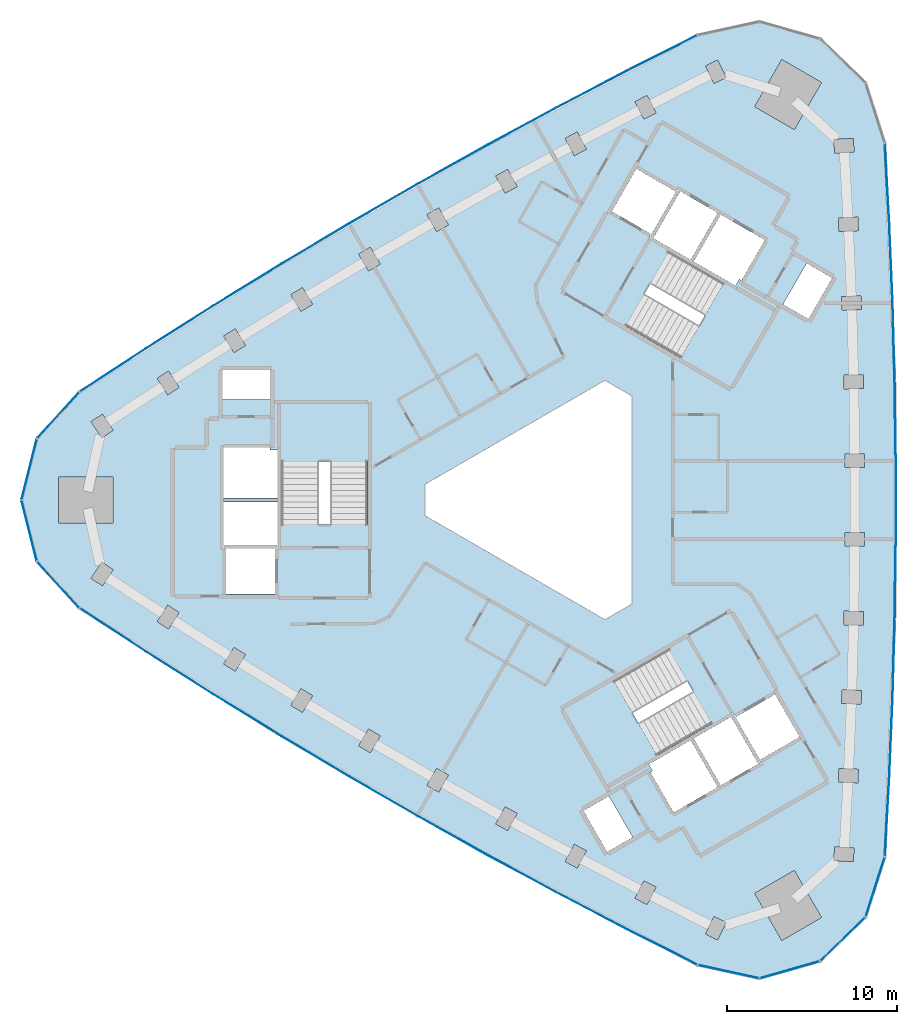
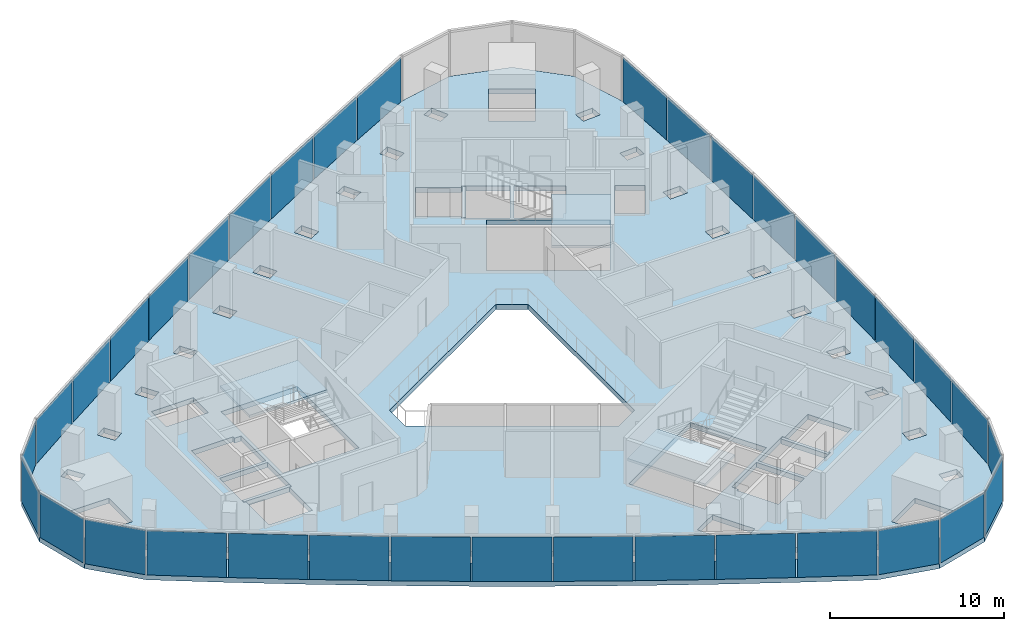
# One storey, part 6 of 11: 35 plates, 4 slabs, 6 elements without a shape of their own.
"""IFC4 building model written with IfcOpenShell, lengths in metres."""

from ifc_helpers import new_model, si_unit, direction, frame, origin, origin_2d, place, context, subcontext, project, spatial, polyline, rectangle, outline, extrude, material, layer, layer_set, type_object, element, aggregate, save


model = new_model("IFC4")

# Units and contexts
model_context = context("Model", 3, precision=1e-05, world=origin(), true_north=direction((0.0, 1.0)))
body_context = subcontext(model_context, "Body", "Model", "MODEL_VIEW")
ifc_project = project(units=[si_unit("LENGTHUNIT", "METRE"), si_unit("AREAUNIT", "SQUARE_METRE"), si_unit("VOLUMEUNIT", "CUBIC_METRE"), si_unit("PLANEANGLEUNIT", "RADIAN"), si_unit("MASSUNIT", "GRAM", prefix="KILO")], contexts=[model_context])

# Site, building, storey
site_placement = place(None, origin())
site = spatial("IfcSite", under=ifc_project, at=site_placement, CompositionType="ELEMENT")
building_placement = place(site_placement, origin())
building = spatial("IfcBuilding", under=site, at=building_placement, Name="Tamra Quay Hotel Tower", CompositionType="ELEMENT")
storey_placement = place(building_placement, frame((0.0, 0.0, 190.0)))
storey = spatial("IfcBuildingStorey", under=building, at=storey_placement, Name="L47", CompositionType="ELEMENT", Elevation=190.0)

# Stair, slab
ifc_material_1 = material(Name="Exit stair 2200 24 risers 150.0 going 342")
stair_type = type_object("IfcStairType", Name="Exit stair 2200 24 risers 150.0 going 342", PredefinedType="HALF_TURN_STAIR", material=ifc_material_1)
stair_1_placement = place(storey_placement, origin())
stair_1 = element("IfcStair", 1, at=stair_1_placement, inside=storey, type_object=stair_type, Name="L47 Exit stair ST3", PredefinedType="HALF_TURN_STAIR")
ifc_material_2 = material(Name="Concrete M70", Category="concrete")
ifc_layer_1 = layer(ifc_material_2, 0.175048828125)
ifc_layer_set_1 = layer_set([ifc_layer_1], Name="Concrete M70 stair landing 180")
slab_type_1 = type_object("IfcSlabType", Name="Concrete M70 stair landing 180", PredefinedType="LANDING", material=ifc_layer_set_1)
slab_1_placement = place(storey_placement, frame((0.0, 0.0, 1.625)))
slab_1 = element("IfcSlab", 2, at=slab_1_placement, type_object=slab_type_1, Name="ST3 landing 1", PredefinedType="LANDING", context=body_context, shape_type="SweptSolid", body=[
    extrude(outline(polyline([(-10.932373046875, 2.261962890625), (-10.932373046875, 5.679931640625), (-16.09130859375, 5.679931640625), (-16.09130859375, 2.261962890625), (-10.932373046875, 2.261962890625)])), origin(), (0.0, 0.0, 1.0), 0.175048828125),
])
aggregate(stair_1, [slab_1])

stair_2_placement = place(storey_placement, origin())
stair_2 = element("IfcStair", 3, at=stair_2_placement, inside=storey, type_object=stair_type, Name="L47 Exit stair ST1", PredefinedType="HALF_TURN_STAIR")
slab_2_placement = place(storey_placement, frame((0.0, 0.0, 1.625)))
slab_2 = element("IfcSlab", 4, at=slab_2_placement, type_object=slab_type_1, Name="ST1 landing 1", PredefinedType="LANDING", context=body_context, shape_type="SweptSolid", body=[
    extrude(outline(polyline([(7.425048828125, 8.336669921875), (10.385009765625, 6.627685546875), (12.964599609375, 11.095458984375), (10.00439453125, 12.804443359375), (7.425048828125, 8.336669921875)])), origin(), (0.0, 0.0, 1.0), 0.175048828125),
])
aggregate(stair_2, [slab_2])

stair_3_placement = place(storey_placement, origin())
stair_3 = element("IfcStair", 5, at=stair_3_placement, inside=storey, type_object=stair_type, Name="L47 Exit stair ST2", PredefinedType="HALF_TURN_STAIR")
slab_3_placement = place(storey_placement, frame((0.0, 0.0, 1.625)))
slab_3 = element("IfcSlab", 6, at=slab_3_placement, type_object=slab_type_1, Name="ST2 landing 1", PredefinedType="LANDING", context=body_context, shape_type="SweptSolid", body=[
    extrude(outline(polyline([(3.50732421875, -10.5986328125), (0.547119140625, -12.3076171875), (3.126708984375, -16.775390625), (6.086669921875, -15.06640625), (3.50732421875, -10.5986328125)])), origin(), (0.0, 0.0, 1.0), 0.175048828125),
])
aggregate(stair_3, [slab_3])

# Slab
ifc_material_3 = material(Name="Concrete M60", Category="concrete")
ifc_layer_2 = layer(ifc_material_3, 0.35009765625)
ifc_layer_set_2 = layer_set([ifc_layer_2], Name="FLOOR SLAB PT 350")
slab_type_2 = type_object("IfcSlabType", Name="FLOOR SLAB PT 350", PredefinedType="FLOOR", material=ifc_layer_set_2)
slab_4_placement = place(storey_placement, frame((0.0, 0.0, -0.35009765625)))
element("IfcSlab", 7, at=slab_4_placement, inside=storey, type_object=slab_type_2, Name="SLAB-L47", PredefinedType="FLOOR", context=body_context, shape_type="SweptSolid", body=[
    extrude(outline(polyline([(19.734619140625, 16.342041015625), (19.9287109375, 11.6748046875), (20.058349609375, 7.006591796875), (20.123291015625, 2.335693359375), (20.123291015625, -2.335693359375), (20.058349609375, -7.006591796875), (19.9287109375, -11.6748046875), (19.734619140625, -16.342041015625), (19.4755859375, -21.00537109375), (18.345703125, -24.553466796875), (15.67236328125, -27.1455078125), (12.091064453125, -28.164794921875), (8.453369140625, -27.369140625), (4.285400390625, -25.261474609375), (0.146240234375, -23.09619140625), (-3.961181640625, -20.87451171875), (-8.038818359375, -18.59521484375), (-12.08447265625, -16.259521484375), (-16.09716796875, -13.86767578125), (-20.074951171875, -11.42138671875), (-24.019775390625, -8.91943359375), (-27.928955078125, -6.36376953125), (-30.436767578125, -3.611083984375), (-31.3447265625, 0.0), (-30.436767578125, 3.611083984375), (-27.928955078125, 6.36376953125), (-24.019775390625, 8.91943359375), (-20.074951171875, 11.42138671875), (-16.09716796875, 13.86767578125), (-12.08447265625, 16.259521484375), (-8.038818359375, 18.59521484375), (-3.961181640625, 20.87451171875), (0.146240234375, 23.09619140625), (4.285400390625, 25.261474609375), (8.453369140625, 27.369140625), (12.091064453125, 28.164794921875), (15.67236328125, 27.1455078125), (18.345703125, 24.553466796875), (19.4755859375, 21.00537109375), (19.734619140625, 16.342041015625)]), holes=[polyline([(-11.500244140625, -14.4736328125), (-10.810302734375, -14.87841796875), (-10.228271484375, -13.88671875), (-10.918212890625, -13.481689453125), (-11.500244140625, -14.4736328125)]), polyline([(-14.89208984375, -11.106689453125), (-15.488037109375, -12.09033203125), (-14.8037109375, -12.5048828125), (-14.207763671875, -11.521240234375), (-14.89208984375, -11.106689453125)]), polyline([(-18.83349609375, -8.6767578125), (-19.4423828125, -9.65234375), (-18.763916015625, -10.075927734375), (-18.15478515625, -9.100341796875), (-18.83349609375, -8.6767578125)]), polyline([(-23.362548828125, -7.159423828125), (-22.689697265625, -7.59228515625), (-22.0673828125, -6.62548828125), (-22.739990234375, -6.1923828125), (-23.362548828125, -7.159423828125)]), polyline([(-26.6123046875, -3.654296875), (-27.247802734375, -4.612548828125), (-26.5810546875, -5.0546875), (-25.945556640625, -4.096435546875), (-26.6123046875, -3.654296875)]), polyline([(-16.3173828125, -2.85498046875), (-19.4072265625, -2.85498046875), (-19.4072265625, -2.89306640625), (-19.307373046875, -2.89306640625), (-19.307373046875, -5.544921875), (-16.417236328125, -5.544921875), (-16.417236328125, -2.89306640625), (-16.3173828125, -2.89306640625), (-16.3173828125, -2.85498046875)]), polyline([(-19.417236328125, -2.64501953125), (-16.307373046875, -2.64501953125), (-16.307373046875, -2.89306640625), (-16.26708984375, -2.89306640625), (-16.26708984375, -0.10498046875), (-19.45751953125, -0.10498046875), (-19.45751953125, -2.89306640625), (-19.417236328125, -2.89306640625), (-19.417236328125, -2.64501953125)]), polyline([(-25.958984375, 1.35009765625), (-29.158935546875, 1.35009765625), (-29.158935546875, -1.35009765625), (-25.958984375, -1.35009765625), (-25.958984375, 1.35009765625)]), polyline([(-16.26708984375, 2.945068359375), (-16.707275390625, 2.945068359375), (-16.707275390625, 3.09521484375), (-19.45751953125, 3.09521484375), (-19.45751953125, 0.10498046875), (-16.26708984375, 0.10498046875), (-16.26708984375, 2.945068359375)]), polyline([(-10.9873046875, -1.455078125), (-10.9873046875, 5.625), (-16.036376953125, 5.625), (-16.036376953125, -1.455078125), (-10.9873046875, -1.455078125)]), polyline([(-25.945556640625, 4.096435546875), (-26.5810546875, 5.0546875), (-27.247802734375, 4.612548828125), (-26.6123046875, 3.654296875), (-25.945556640625, 4.096435546875)]), polyline([(-16.71728515625, 7.64501953125), (-19.50732421875, 7.64501953125), (-19.50732421875, 5.9150390625), (-16.71728515625, 5.9150390625), (-16.71728515625, 7.64501953125)]), polyline([(-22.689697265625, 7.59228515625), (-23.362548828125, 7.159423828125), (-22.739990234375, 6.1923828125), (-22.0673828125, 6.62548828125), (-22.689697265625, 7.59228515625)]), polyline([(-18.15478515625, 9.100341796875), (-18.763916015625, 10.075927734375), (-19.4423828125, 9.65234375), (-18.83349609375, 8.6767578125), (-18.15478515625, 9.100341796875)]), polyline([(-14.207763671875, 11.521240234375), (-14.8037109375, 12.5048828125), (-15.488037109375, 12.09033203125), (-14.89208984375, 11.106689453125), (-14.207763671875, 11.521240234375)]), polyline([(-10.810302734375, 14.87841796875), (-11.500244140625, 14.4736328125), (-10.918212890625, 13.481689453125), (-10.228271484375, 13.88671875), (-10.810302734375, 14.87841796875)]), polyline([(-6.21630859375, 16.196533203125), (-6.784423828125, 17.1962890625), (-7.47998046875, 16.80126953125), (-6.912109375, 15.801513671875), (-6.21630859375, 16.196533203125)]), polyline([(9.42529296875, -24.517578125), (8.9130859375, -25.547119140625), (9.629150390625, -25.903564453125), (10.141357421875, -24.8740234375), (9.42529296875, -24.517578125)]), polyline([(4.76953125, -23.4462890625), (5.48095703125, -23.812255859375), (6.007080078125, -22.78955078125), (5.2958984375, -22.423583984375), (4.76953125, -23.4462890625)]), polyline([(1.196533203125, -20.272705078125), (0.656005859375, -21.28759765625), (1.362060546875, -21.663818359375), (1.902587890625, -20.648681640625), (1.196533203125, -20.272705078125)]), polyline([(1.73779296875, -18.300048828125), (3.1328125, -20.71630859375), (4.631103515625, -19.851318359375), (3.236083984375, -17.43505859375), (1.73779296875, -18.300048828125)]), polyline([(-3.427734375, -19.072998046875), (-2.7265625, -19.458251953125), (-2.172607421875, -18.4501953125), (-2.873779296875, -18.06494140625), (-3.427734375, -19.072998046875)]), polyline([(-6.912109375, -15.801513671875), (-7.47998046875, -16.80126953125), (-6.784423828125, -17.1962890625), (-6.21630859375, -16.196533203125), (-6.912109375, -15.801513671875)]), polyline([(5.5830078125, -15.560302734375), (5.80322265625, -15.94140625), (5.673095703125, -16.0166015625), (7.04833984375, -18.398193359375), (9.6376953125, -16.903076171875), (8.042724609375, -14.14013671875), (5.5830078125, -15.560302734375)]), polyline([(11.999267578125, -15.493408203125), (10.4443359375, -12.800048828125), (10.6591796875, -12.676025390625), (10.63916015625, -12.64111328125), (8.224609375, -14.03515625), (9.819580078125, -16.798095703125), (12.234130859375, -15.404052734375), (12.214111328125, -15.369384765625), (11.999267578125, -15.493408203125)]), polyline([(9.2783203125, -13.160400390625), (6.75390625, -8.78759765625), (0.622314453125, -12.32763671875), (3.146728515625, -16.7001953125), (9.2783203125, -13.160400390625)]), polyline([(3.0, 7.043701171875), (-7.60009765625, 0.923828125), (-7.60009765625, -0.923828125), (3.0, -7.043701171875), (4.60009765625, -6.119873046875), (4.60009765625, 6.119873046875), (3.0, 7.043701171875)]), polyline([(4.2333984375, 10.242919921875), (10.364990234375, 6.702880859375), (12.889404296875, 11.075439453125), (6.758056640625, 14.615478515625), (4.2333984375, 10.242919921875)]), polyline([(7.203125, 18.262451171875), (7.41796875, 18.138427734375), (5.863037109375, 15.445068359375), (5.648193359375, 15.569091796875), (5.628173828125, 15.5341796875), (8.04248046875, 14.140380859375), (9.6376953125, 16.903076171875), (7.22314453125, 18.297119140625), (7.203125, 18.262451171875)]), polyline([(5.68603515625, 15.55859375), (7.231201171875, 18.234619140625), (7.1982421875, 18.253662109375), (7.148193359375, 18.1669921875), (4.8515625, 19.4931640625), (3.406494140625, 16.990234375), (5.703125, 15.664306640625), (5.6533203125, 15.57763671875), (5.68603515625, 15.55859375)]), polyline([(-2.7265625, 19.458251953125), (-3.427734375, 19.072998046875), (-2.873779296875, 18.06494140625), (-2.172607421875, 18.4501953125), (-2.7265625, 19.458251953125)]), polyline([(1.902587890625, 20.648681640625), (1.362060546875, 21.663818359375), (0.656005859375, 21.28759765625), (1.196533203125, 20.272705078125), (1.902587890625, 20.648681640625)]), polyline([(6.007080078125, 22.78955078125), (5.48095703125, 23.812255859375), (4.76953125, 23.4462890625), (5.2958984375, 22.423583984375), (6.007080078125, 22.78955078125)]), polyline([(9.629150390625, 25.903564453125), (8.9130859375, 25.547119140625), (9.42529296875, 24.517578125), (10.141357421875, 24.8740234375), (9.629150390625, 25.903564453125)]), polyline([(11.810302734375, -23.15625), (13.410400390625, -25.927490234375), (15.74853515625, -24.577392578125), (14.148681640625, -21.80615234375), (11.810302734375, -23.15625)]), polyline([(16.470703125, -21.2197265625), (17.61865234375, -21.291015625), (17.668212890625, -20.492431640625), (16.5205078125, -20.42138671875), (16.470703125, -21.2197265625)]), polyline([(17.881591796875, -16.65283203125), (17.920166015625, -15.853759765625), (16.771484375, -15.798095703125), (16.73291015625, -16.59716796875), (17.881591796875, -16.65283203125)]), polyline([(10.631103515625, -12.70361328125), (12.176025390625, -15.379638671875), (12.208984375, -15.360595703125), (12.1591796875, -15.274169921875), (14.455810546875, -13.947998046875), (13.0107421875, -11.4453125), (10.714111328125, -12.771240234375), (10.6640625, -12.6845703125), (10.631103515625, -12.70361328125)]), polyline([(16.930908203125, -11.971923828125), (18.080322265625, -12.011474609375), (18.10791015625, -11.2119140625), (16.95849609375, -11.172607421875), (16.930908203125, -11.971923828125)]), polyline([(18.214599609375, -7.367919921875), (18.2314453125, -6.568115234375), (17.081787109375, -6.543701171875), (17.064697265625, -7.343505859375), (18.214599609375, -7.367919921875)]), polyline([(17.134765625, -2.714599609375), (18.28466796875, -2.72265625), (18.290283203125, -1.9228515625), (17.140380859375, -1.914794921875), (17.134765625, -2.714599609375)]), polyline([(17.140380859375, 1.914794921875), (18.290283203125, 1.9228515625), (18.28466796875, 2.72265625), (17.134765625, 2.714599609375), (17.140380859375, 1.914794921875)]), polyline([(18.2314453125, 6.568115234375), (18.214599609375, 7.367919921875), (17.064697265625, 7.343505859375), (17.081787109375, 6.543701171875), (18.2314453125, 6.568115234375)]), polyline([(16.95849609375, 11.172607421875), (18.10791015625, 11.2119140625), (18.080322265625, 12.011474609375), (16.930908203125, 11.971923828125), (16.95849609375, 11.172607421875)]), polyline([(14.9794921875, 10.655029296875), (16.37451171875, 13.0712890625), (14.876220703125, 13.936279296875), (13.481201171875, 11.52001953125), (14.9794921875, 10.655029296875)]), polyline([(10.68408203125, 12.615234375), (10.904052734375, 12.996337890625), (11.0341796875, 12.92138671875), (12.4091796875, 15.302978515625), (9.819580078125, 16.798095703125), (8.224365234375, 14.035400390625), (10.68408203125, 12.615234375)]), polyline([(16.771484375, 15.798095703125), (17.920166015625, 15.853759765625), (17.881591796875, 16.65283203125), (16.73291015625, 16.59716796875), (16.771484375, 15.798095703125)]), polyline([(16.5205078125, 20.42138671875), (17.668212890625, 20.492431640625), (17.61865234375, 21.291015625), (16.470703125, 21.2197265625), (16.5205078125, 20.42138671875)]), polyline([(14.148681640625, 21.80615234375), (15.74853515625, 24.577392578125), (13.410400390625, 25.927490234375), (11.810302734375, 23.15625), (14.148681640625, 21.80615234375)])]), origin(), (0.0, 0.0, 1.0), 0.35009765625),
])

# Curtain wall, plates
ifc_material_4 = material(Name="Aluminium 6063 anodised dark grey", Category="aluminium")
curtain_wall_type_1 = type_object("IfcCurtainWallType", Name="CW1 CURTAIN WALL", PredefinedType="NOTDEFINED", material=ifc_material_4)
curtain_wall_1_placement = place(storey_placement, origin())
curtain_wall_1 = element("IfcCurtainWall", 8, at=curtain_wall_1_placement, inside=storey, type_object=curtain_wall_type_1, Name="CW1 east face L47", PredefinedType="NOTDEFINED")
ifc_material_5 = material(Name="Glass clear laminated low-iron", Category="glass")
ifc_layer_3 = layer(ifc_material_5, 0.030029296875)
ifc_layer_set_3 = layer_set([ifc_layer_3], Name="GLASS PANEL CW1 Z4")
plate_type_1 = type_object("IfcPlateType", Name="GLASS PANEL CW1 Z4", PredefinedType="CURTAIN_PANEL", material=ifc_layer_set_3)
plate_1_placement = place(storey_placement, frame((19.60498046875, -18.673583984375, 0.0), z_axis=(0.0, 0.0, 1.0), x_axis=(0.055416308058, 0.998463335732, 0.0)))
plate_1 = element("IfcPlate", 9, at=plate_1_placement, type_object=plate_type_1, Name="CW1 glass L47.E.1", PredefinedType="CURTAIN_PANEL", context=body_context, shape_type="SweptSolid", body=[
    extrude(rectangle(XDim=4.570556640625, YDim=0.030029296875, at=origin_2d()), origin(), (0.0, 0.0, 1.0), 3.110107421875),
])
plate_2_placement = place(storey_placement, frame((19.83154296875, -14.00830078125, 0.0), z_axis=(0.0, 0.0, 1.0), x_axis=(0.041599153709, 0.999134380557, 0.0)))
plate_2 = element("IfcPlate", 10, at=plate_2_placement, type_object=plate_type_1, Name="CW1 glass L47.E.2", PredefinedType="CURTAIN_PANEL", context=body_context, shape_type="SweptSolid", body=[
    extrude(rectangle(XDim=4.5712890625, YDim=0.030029296875, at=origin_2d()), origin(), (0.0, 0.0, 1.0), 3.110107421875),
])
plate_3_placement = place(storey_placement, frame((19.99365234375, -9.340576171875, 0.0), z_axis=(0.0, 0.0, 1.0), x_axis=(0.027753587392, 0.999614795002, 0.0)))
plate_3 = element("IfcPlate", 11, at=plate_3_placement, type_object=plate_type_1, Name="CW1 glass L47.E.3", PredefinedType="CURTAIN_PANEL", context=body_context, shape_type="SweptSolid", body=[
    extrude(rectangle(XDim=4.56982421875, YDim=0.030029296875, at=origin_2d()), origin(), (0.0, 0.0, 1.0), 3.110107421875),
])
plate_4_placement = place(storey_placement, frame((20.0908203125, -4.671142578125, 0.0), z_axis=(0.0, 0.0, 1.0), x_axis=(0.013886463743, 0.999903578414, 0.0)))
plate_4 = element("IfcPlate", 12, at=plate_4_placement, type_object=plate_type_1, Name="CW1 glass L47.E.4", PredefinedType="CURTAIN_PANEL", context=body_context, shape_type="SweptSolid", body=[
    extrude(rectangle(XDim=4.571533203125, YDim=0.030029296875, at=origin_2d()), origin(), (0.0, 0.0, 1.0), 3.110107421875),
])
plate_5_placement = place(storey_placement, frame((20.123291015625, 0.0, 0.0), z_axis=(0.0, 0.0, 1.0), x_axis=(0.0, 1.0, 0.0)))
plate_5 = element("IfcPlate", 13, at=plate_5_placement, type_object=plate_type_1, Name="CW1 glass L47.E.5", PredefinedType="CURTAIN_PANEL", context=body_context, shape_type="SweptSolid", body=[
    extrude(rectangle(XDim=4.571533203125, YDim=0.030029296875, at=origin_2d()), origin(), (0.0, 0.0, 1.0), 3.110107421875),
])
plate_6_placement = place(storey_placement, frame((20.0908203125, 4.671142578125, 0.0), z_axis=(0.0, 0.0, 1.0), x_axis=(-0.013886463743, 0.999903578414, 0.0)))
plate_6 = element("IfcPlate", 14, at=plate_6_placement, type_object=plate_type_1, Name="CW1 glass L47.E.6", PredefinedType="CURTAIN_PANEL", context=body_context, shape_type="SweptSolid", body=[
    extrude(rectangle(XDim=4.571533203125, YDim=0.030029296875, at=origin_2d()), origin(), (0.0, 0.0, 1.0), 3.110107421875),
])
plate_7_placement = place(storey_placement, frame((19.99365234375, 9.340576171875, 0.0), z_axis=(0.0, 0.0, 1.0), x_axis=(-0.027753587392, 0.999614795002, 0.0)))
plate_7 = element("IfcPlate", 15, at=plate_7_placement, type_object=plate_type_1, Name="CW1 glass L47.E.7", PredefinedType="CURTAIN_PANEL", context=body_context, shape_type="SweptSolid", body=[
    extrude(rectangle(XDim=4.56982421875, YDim=0.030029296875, at=origin_2d()), origin(), (0.0, 0.0, 1.0), 3.110107421875),
])
plate_8_placement = place(storey_placement, frame((19.83154296875, 14.00830078125, 0.0), z_axis=(0.0, 0.0, 1.0), x_axis=(-0.041599153709, 0.999134380557, 0.0)))
plate_8 = element("IfcPlate", 16, at=plate_8_placement, type_object=plate_type_1, Name="CW1 glass L47.E.8", PredefinedType="CURTAIN_PANEL", context=body_context, shape_type="SweptSolid", body=[
    extrude(rectangle(XDim=4.5712890625, YDim=0.030029296875, at=origin_2d()), origin(), (0.0, 0.0, 1.0), 3.110107421875),
])
plate_9_placement = place(storey_placement, frame((19.60498046875, 18.673583984375, 0.0), z_axis=(0.0, 0.0, 1.0), x_axis=(-0.055416308058, 0.998463335732, 0.0)))
plate_9 = element("IfcPlate", 17, at=plate_9_placement, type_object=plate_type_1, Name="CW1 glass L47.E.9", PredefinedType="CURTAIN_PANEL", context=body_context, shape_type="SweptSolid", body=[
    extrude(rectangle(XDim=4.570556640625, YDim=0.030029296875, at=origin_2d()), origin(), (0.0, 0.0, 1.0), 3.110107421875),
])
aggregate(curtain_wall_1, [plate_1, plate_2, plate_3, plate_4, plate_5, plate_6, plate_7, plate_8, plate_9])

curtain_wall_type_2 = type_object("IfcCurtainWallType", Name="CW2 CURTAIN WALL", PredefinedType="NOTDEFINED", material=ifc_material_4)
curtain_wall_2_placement = place(storey_placement, origin())
curtain_wall_2 = element("IfcCurtainWall", 18, at=curtain_wall_2_placement, inside=storey, type_object=curtain_wall_type_2, Name="CW2 north-west face L47", PredefinedType="NOTDEFINED")
ifc_layer_4 = layer(ifc_material_5, 0.030029296875)
ifc_layer_set_4 = layer_set([ifc_layer_4], Name="GLASS PANEL CW2 Z4")
plate_type_2 = type_object("IfcPlateType", Name="GLASS PANEL CW2 Z4", PredefinedType="CURTAIN_PANEL", material=ifc_layer_set_4)
plate_10_placement = place(storey_placement, frame((6.369384765625, 26.3154296875, 0.0), z_axis=(0.0, 0.0, 1.0), x_axis=(-0.89240276752, -0.451239737304, 0.0)))
plate_10 = element("IfcPlate", 19, at=plate_10_placement, type_object=plate_type_2, Name="CW2 glass L47.NW.1", PredefinedType="CURTAIN_PANEL", context=body_context, shape_type="SweptSolid", body=[
    extrude(rectangle(XDim=4.570556640625, YDim=0.030029296875, at=origin_2d()), origin(), (0.0, 0.0, 1.0), 3.110107421875),
])
plate_11_placement = place(storey_placement, frame((2.2158203125, 24.178955078125, 0.0), z_axis=(0.0, 0.0, 1.0), x_axis=(-0.886075332211, -0.46354126639, 0.0)))
plate_11 = element("IfcPlate", 20, at=plate_11_placement, type_object=plate_type_2, Name="CW2 glass L47.NW.2", PredefinedType="CURTAIN_PANEL", context=body_context, shape_type="SweptSolid", body=[
    extrude(rectangle(XDim=4.5712890625, YDim=0.030029296875, at=origin_2d()), origin(), (0.0, 0.0, 1.0), 3.110107421875),
])
plate_12_placement = place(storey_placement, frame((-1.907470703125, 21.9853515625, 0.0), z_axis=(0.0, 0.0, 1.0), x_axis=(-0.879568600166, -0.475772085773, 0.0)))
plate_12 = element("IfcPlate", 21, at=plate_12_placement, type_object=plate_type_2, Name="CW2 glass L47.NW.3", PredefinedType="CURTAIN_PANEL", context=body_context, shape_type="SweptSolid", body=[
    extrude(rectangle(XDim=4.56982421875, YDim=0.030029296875, at=origin_2d()), origin(), (0.0, 0.0, 1.0), 3.110107421875),
])
plate_13_placement = place(storey_placement, frame((-6.0, 19.73486328125, 0.0), z_axis=(0.0, 0.0, 1.0), x_axis=(-0.872885132113, -0.487925758836, 0.0)))
plate_13 = element("IfcPlate", 22, at=plate_13_placement, type_object=plate_type_2, Name="CW2 glass L47.NW.4", PredefinedType="CURTAIN_PANEL", context=body_context, shape_type="SweptSolid", body=[
    extrude(rectangle(XDim=4.571533203125, YDim=0.030029296875, at=origin_2d()), origin(), (0.0, 0.0, 1.0), 3.110107421875),
])
plate_14_placement = place(storey_placement, frame((-10.0615234375, 17.42724609375, 0.0), z_axis=(0.0, 0.0, 1.0), x_axis=(-0.866025403784, -0.5, 0.0)))
plate_14 = element("IfcPlate", 23, at=plate_14_placement, type_object=plate_type_2, Name="CW2 glass L47.NW.5", PredefinedType="CURTAIN_PANEL", context=body_context, shape_type="SweptSolid", body=[
    extrude(rectangle(XDim=4.571533203125, YDim=0.030029296875, at=origin_2d()), origin(), (0.0, 0.0, 1.0), 3.110107421875),
])
plate_15_placement = place(storey_placement, frame((-14.0908203125, 15.0634765625, 0.0), z_axis=(0.0, 0.0, 1.0), x_axis=(-0.85899866837, -0.511977819577, 0.0)))
plate_15 = element("IfcPlate", 24, at=plate_15_placement, type_object=plate_type_2, Name="CW2 glass L47.NW.6", PredefinedType="CURTAIN_PANEL", context=body_context, shape_type="SweptSolid", body=[
    extrude(rectangle(XDim=4.571533203125, YDim=0.030029296875, at=origin_2d()), origin(), (0.0, 0.0, 1.0), 3.110107421875),
])
plate_16_placement = place(storey_placement, frame((-18.0859375, 12.64453125, 0.0), z_axis=(0.0, 0.0, 1.0), x_axis=(-0.851815012775, -0.523842709229, 0.0)))
plate_16 = element("IfcPlate", 25, at=plate_16_placement, type_object=plate_type_2, Name="CW2 glass L47.NW.7", PredefinedType="CURTAIN_PANEL", context=body_context, shape_type="SweptSolid", body=[
    extrude(rectangle(XDim=4.56982421875, YDim=0.030029296875, at=origin_2d()), origin(), (0.0, 0.0, 1.0), 3.110107421875),
])
plate_17_placement = place(storey_placement, frame((-22.04736328125, 10.17041015625, 0.0), z_axis=(0.0, 0.0, 1.0), x_axis=(-0.844476178502, -0.535593114167, 0.0)))
plate_17 = element("IfcPlate", 26, at=plate_17_placement, type_object=plate_type_2, Name="CW2 glass L47.NW.8", PredefinedType="CURTAIN_PANEL", context=body_context, shape_type="SweptSolid", body=[
    extrude(rectangle(XDim=4.5712890625, YDim=0.030029296875, at=origin_2d()), origin(), (0.0, 0.0, 1.0), 3.110107421875),
])
plate_18_placement = place(storey_placement, frame((-25.974365234375, 7.6416015625, 0.0), z_axis=(0.0, 0.0, 1.0), x_axis=(-0.836986459463, -0.547223598428, 0.0)))
plate_18 = element("IfcPlate", 27, at=plate_18_placement, type_object=plate_type_2, Name="CW2 glass L47.NW.9", PredefinedType="CURTAIN_PANEL", context=body_context, shape_type="SweptSolid", body=[
    extrude(rectangle(XDim=4.570556640625, YDim=0.030029296875, at=origin_2d()), origin(), (0.0, 0.0, 1.0), 3.110107421875),
])
plate_19_placement = place(storey_placement, frame((-29.182861328125, 4.987548828125, 0.0), z_axis=(0.0, 0.0, 1.0), x_axis=(-0.673495681519, -0.739191157262, 0.0)))
plate_19 = element("IfcPlate", 28, at=plate_19_placement, type_object=plate_type_2, Name="CW2 glass L47.NW.10", PredefinedType="CURTAIN_PANEL", context=body_context, shape_type="SweptSolid", body=[
    extrude(rectangle(XDim=3.62353515625, YDim=0.030029296875, at=origin_2d()), origin(), (0.0, 0.0, 1.0), 3.110107421875),
])
plate_20_placement = place(storey_placement, frame((-30.890869140625, 1.8056640625, 0.0), z_axis=(0.0, 0.0, 1.0), x_axis=(-0.243826260198, -0.969818928892, 0.0)))
plate_20 = element("IfcPlate", 29, at=plate_20_placement, type_object=plate_type_2, Name="CW2 glass L47.NW.11", PredefinedType="CURTAIN_PANEL", context=body_context, shape_type="SweptSolid", body=[
    extrude(rectangle(XDim=3.62353515625, YDim=0.030029296875, at=origin_2d()), origin(), (0.0, 0.0, 1.0), 3.110107421875),
])
plate_21_placement = place(storey_placement, frame((-30.890869140625, -1.8056640625, 0.0), z_axis=(0.0, 0.0, 1.0), x_axis=(0.243826260198, -0.969818928892, 0.0)))
plate_21 = element("IfcPlate", 30, at=plate_21_placement, type_object=plate_type_2, Name="CW2 glass L47.NW.12", PredefinedType="CURTAIN_PANEL", context=body_context, shape_type="SweptSolid", body=[
    extrude(rectangle(XDim=3.62353515625, YDim=0.030029296875, at=origin_2d()), origin(), (0.0, 0.0, 1.0), 3.110107421875),
])
plate_22_placement = place(storey_placement, frame((-29.182861328125, -4.987548828125, 0.0), z_axis=(0.0, 0.0, 1.0), x_axis=(0.673495681519, -0.739191157262, 0.0)))
plate_22 = element("IfcPlate", 31, at=plate_22_placement, type_object=plate_type_2, Name="CW2 glass L47.NW.13", PredefinedType="CURTAIN_PANEL", context=body_context, shape_type="SweptSolid", body=[
    extrude(rectangle(XDim=3.62353515625, YDim=0.030029296875, at=origin_2d()), origin(), (0.0, 0.0, 1.0), 3.110107421875),
])
aggregate(curtain_wall_2, [plate_10, plate_11, plate_12, plate_13, plate_14, plate_15, plate_16, plate_17, plate_18, plate_19, plate_20, plate_21, plate_22])

curtain_wall_type_3 = type_object("IfcCurtainWallType", Name="CW3 CURTAIN WALL", PredefinedType="NOTDEFINED", material=ifc_material_4)
curtain_wall_3_placement = place(storey_placement, origin())
curtain_wall_3 = element("IfcCurtainWall", 32, at=curtain_wall_3_placement, inside=storey, type_object=curtain_wall_type_3, Name="CW3 south-west face L47", PredefinedType="NOTDEFINED")
ifc_layer_5 = layer(ifc_material_5, 0.030029296875)
ifc_layer_set_5 = layer_set([ifc_layer_5], Name="GLASS PANEL CW3 Z4")
plate_type_3 = type_object("IfcPlateType", Name="GLASS PANEL CW3 Z4", PredefinedType="CURTAIN_PANEL", material=ifc_layer_set_5)
plate_23_placement = place(storey_placement, frame((-25.974365234375, -7.6416015625, 0.0), z_axis=(0.0, 0.0, 1.0), x_axis=(0.836986459463, -0.547223598428, 0.0)))
plate_23 = element("IfcPlate", 33, at=plate_23_placement, type_object=plate_type_3, Name="CW3 glass L47.SW.1", PredefinedType="CURTAIN_PANEL", context=body_context, shape_type="SweptSolid", body=[
    extrude(rectangle(XDim=4.570556640625, YDim=0.030029296875, at=origin_2d()), origin(), (0.0, 0.0, 1.0), 3.110107421875),
])
plate_24_placement = place(storey_placement, frame((-22.04736328125, -10.17041015625, 0.0), z_axis=(0.0, 0.0, 1.0), x_axis=(0.844476178502, -0.535593114167, 0.0)))
plate_24 = element("IfcPlate", 34, at=plate_24_placement, type_object=plate_type_3, Name="CW3 glass L47.SW.2", PredefinedType="CURTAIN_PANEL", context=body_context, shape_type="SweptSolid", body=[
    extrude(rectangle(XDim=4.5712890625, YDim=0.030029296875, at=origin_2d()), origin(), (0.0, 0.0, 1.0), 3.110107421875),
])
plate_25_placement = place(storey_placement, frame((-18.0859375, -12.64453125, 0.0), z_axis=(0.0, 0.0, 1.0), x_axis=(0.851815012775, -0.523842709229, 0.0)))
plate_25 = element("IfcPlate", 35, at=plate_25_placement, type_object=plate_type_3, Name="CW3 glass L47.SW.3", PredefinedType="CURTAIN_PANEL", context=body_context, shape_type="SweptSolid", body=[
    extrude(rectangle(XDim=4.56982421875, YDim=0.030029296875, at=origin_2d()), origin(), (0.0, 0.0, 1.0), 3.110107421875),
])
plate_26_placement = place(storey_placement, frame((-14.0908203125, -15.0634765625, 0.0), z_axis=(0.0, 0.0, 1.0), x_axis=(0.85899866837, -0.511977819577, 0.0)))
plate_26 = element("IfcPlate", 36, at=plate_26_placement, type_object=plate_type_3, Name="CW3 glass L47.SW.4", PredefinedType="CURTAIN_PANEL", context=body_context, shape_type="SweptSolid", body=[
    extrude(rectangle(XDim=4.571533203125, YDim=0.030029296875, at=origin_2d()), origin(), (0.0, 0.0, 1.0), 3.110107421875),
])
plate_27_placement = place(storey_placement, frame((-10.0615234375, -17.42724609375, 0.0), z_axis=(0.0, 0.0, 1.0), x_axis=(0.866025403784, -0.5, 0.0)))
plate_27 = element("IfcPlate", 37, at=plate_27_placement, type_object=plate_type_3, Name="CW3 glass L47.SW.5", PredefinedType="CURTAIN_PANEL", context=body_context, shape_type="SweptSolid", body=[
    extrude(rectangle(XDim=4.571533203125, YDim=0.030029296875, at=origin_2d()), origin(), (0.0, 0.0, 1.0), 3.110107421875),
])
plate_28_placement = place(storey_placement, frame((-6.0, -19.73486328125, 0.0), z_axis=(0.0, 0.0, 1.0), x_axis=(0.872885132113, -0.487925758836, 0.0)))
plate_28 = element("IfcPlate", 38, at=plate_28_placement, type_object=plate_type_3, Name="CW3 glass L47.SW.6", PredefinedType="CURTAIN_PANEL", context=body_context, shape_type="SweptSolid", body=[
    extrude(rectangle(XDim=4.571533203125, YDim=0.030029296875, at=origin_2d()), origin(), (0.0, 0.0, 1.0), 3.110107421875),
])
plate_29_placement = place(storey_placement, frame((-1.907470703125, -21.9853515625, 0.0), z_axis=(0.0, 0.0, 1.0), x_axis=(0.879568600166, -0.475772085773, 0.0)))
plate_29 = element("IfcPlate", 39, at=plate_29_placement, type_object=plate_type_3, Name="CW3 glass L47.SW.7", PredefinedType="CURTAIN_PANEL", context=body_context, shape_type="SweptSolid", body=[
    extrude(rectangle(XDim=4.56982421875, YDim=0.030029296875, at=origin_2d()), origin(), (0.0, 0.0, 1.0), 3.110107421875),
])
plate_30_placement = place(storey_placement, frame((2.2158203125, -24.178955078125, 0.0), z_axis=(0.0, 0.0, 1.0), x_axis=(0.886075332211, -0.46354126639, 0.0)))
plate_30 = element("IfcPlate", 40, at=plate_30_placement, type_object=plate_type_3, Name="CW3 glass L47.SW.8", PredefinedType="CURTAIN_PANEL", context=body_context, shape_type="SweptSolid", body=[
    extrude(rectangle(XDim=4.5712890625, YDim=0.030029296875, at=origin_2d()), origin(), (0.0, 0.0, 1.0), 3.110107421875),
])
plate_31_placement = place(storey_placement, frame((6.369384765625, -26.3154296875, 0.0), z_axis=(0.0, 0.0, 1.0), x_axis=(0.89240276752, -0.451239737304, 0.0)))
plate_31 = element("IfcPlate", 41, at=plate_31_placement, type_object=plate_type_3, Name="CW3 glass L47.SW.9", PredefinedType="CURTAIN_PANEL", context=body_context, shape_type="SweptSolid", body=[
    extrude(rectangle(XDim=4.570556640625, YDim=0.030029296875, at=origin_2d()), origin(), (0.0, 0.0, 1.0), 3.110107421875),
])
plate_32_placement = place(storey_placement, frame((10.272216796875, -27.766845703125, 0.0), z_axis=(0.0, 0.0, 1.0), x_axis=(0.976906161202, -0.213668790904, 0.0)))
plate_32 = element("IfcPlate", 42, at=plate_32_placement, type_object=plate_type_3, Name="CW3 glass L47.SW.10", PredefinedType="CURTAIN_PANEL", context=body_context, shape_type="SweptSolid", body=[
    extrude(rectangle(XDim=3.62353515625, YDim=0.030029296875, at=origin_2d()), origin(), (0.0, 0.0, 1.0), 3.110107421875),
])
plate_33_placement = place(storey_placement, frame((13.881591796875, -27.655029296875, 0.0), z_axis=(0.0, 0.0, 1.0), x_axis=(0.961800959591, 0.273749729005, 0.0)))
plate_33 = element("IfcPlate", 43, at=plate_33_placement, type_object=plate_type_3, Name="CW3 glass L47.SW.11", PredefinedType="CURTAIN_PANEL", context=body_context, shape_type="SweptSolid", body=[
    extrude(rectangle(XDim=3.62353515625, YDim=0.030029296875, at=origin_2d()), origin(), (0.0, 0.0, 1.0), 3.110107421875),
])
plate_34_placement = place(storey_placement, frame((17.009033203125, -25.849365234375, 0.0), z_axis=(0.0, 0.0, 1.0), x_axis=(0.717974699393, 0.696069199888, 0.0)))
plate_34 = element("IfcPlate", 44, at=plate_34_placement, type_object=plate_type_3, Name="CW3 glass L47.SW.12", PredefinedType="CURTAIN_PANEL", context=body_context, shape_type="SweptSolid", body=[
    extrude(rectangle(XDim=3.62353515625, YDim=0.030029296875, at=origin_2d()), origin(), (0.0, 0.0, 1.0), 3.110107421875),
])
plate_35_placement = place(storey_placement, frame((18.91064453125, -22.779541015625, 0.0), z_axis=(0.0, 0.0, 1.0), x_axis=(0.303410479682, 0.952859948166, 0.0)))
plate_35 = element("IfcPlate", 45, at=plate_35_placement, type_object=plate_type_3, Name="CW3 glass L47.SW.13", PredefinedType="CURTAIN_PANEL", context=body_context, shape_type="SweptSolid", body=[
    extrude(rectangle(XDim=3.62353515625, YDim=0.030029296875, at=origin_2d()), origin(), (0.0, 0.0, 1.0), 3.110107421875),
])
aggregate(curtain_wall_3, [plate_23, plate_24, plate_25, plate_26, plate_27, plate_28, plate_29, plate_30, plate_31, plate_32, plate_33, plate_34, plate_35])

save(model, "model.ifc")
